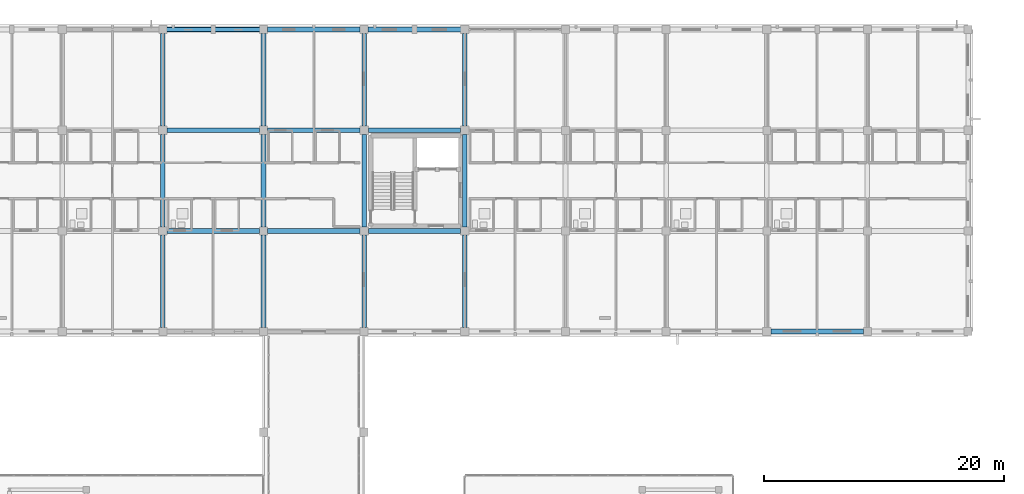
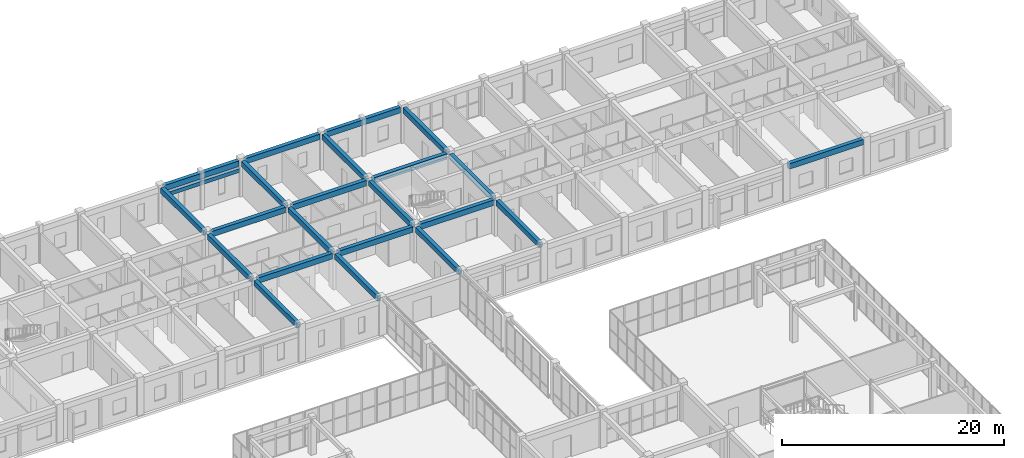
# One storey, part 80 of 140: 23 beams.
"""IFC4 building model written with IfcOpenShell, lengths in metres."""

from ifc_helpers import new_model, si_unit, direction, frame, origin, origin_2d, place, context, subcontext, project, spatial, rectangle, extrude, material, material_profile, profile_set, type_object, element, save


model = new_model("IFC4")

# Units and contexts
model_context = context("Model", 3, precision=1e-05, world=origin(), true_north=direction((0.0, 1.0)))
body_context = subcontext(model_context, "Body", "Model", "MODEL_VIEW")
ifc_project = project(units=[si_unit("LENGTHUNIT", "METRE"), si_unit("AREAUNIT", "SQUARE_METRE"), si_unit("VOLUMEUNIT", "CUBIC_METRE"), si_unit("PLANEANGLEUNIT", "RADIAN"), si_unit("MASSUNIT", "GRAM", prefix="KILO")], contexts=[model_context])

# Site, building, storey
site_placement = place(None, origin())
site = spatial("IfcSite", under=ifc_project, at=site_placement, CompositionType="ELEMENT")
building_placement = place(site_placement, origin())
building = spatial("IfcBuilding", under=site, at=building_placement, Name="Trelvath General Hospital", CompositionType="ELEMENT")
storey_placement = place(building_placement, frame((0.0, 0.0, 16.199951171875)))
storey = spatial("IfcBuildingStorey", under=building, at=storey_placement, Name="L04", CompositionType="ELEMENT", Elevation=16.199951171875)

# Beams
ifc_material_1 = material(Name="Concrete C35/45", Category="concrete")
ifc_material_profile_1 = material_profile(ifc_material_1, rectangle(XDim=0.3798828125, YDim=0.580078125, at=origin_2d()), Name="RCB380x580")
ifc_profile_set_1 = profile_set([ifc_material_profile_1], Name="Concrete C35/45")
beam_type_1 = type_object("IfcBeamType", Name="Beam RC380x580", PredefinedType="BEAM", material=ifc_profile_set_1)
beam_1_placement = place(storey_placement, frame((67.199951171875, 92.735107421875, 3.630126953125), z_axis=(0.0, 1.0, 0.0), x_axis=(-1.0, 0.0, 0.0)))
element("IfcBeam", 1, at=beam_1_placement, inside=storey, type_object=beam_type_1, Name="Grid Beam BY-408L", PredefinedType="BEAM", context=body_context, shape_type="SweptSolid", body=[
    extrude(rectangle(XDim=0.3798828125, YDim=0.580078125, at=origin_2d()), origin(), (0.0, 0.0, 1.0), 7.719970703125),
])
beam_2_placement = place(storey_placement, frame((67.199951171875, 101.14501953125, 3.630126953125), z_axis=(0.0, 1.0, 0.0), x_axis=(-1.0, 0.0, 0.0)))
element("IfcBeam", 2, at=beam_2_placement, inside=storey, type_object=beam_type_1, Name="Grid Beam BY-408M", PredefinedType="BEAM", context=body_context, shape_type="SweptSolid", body=[
    extrude(rectangle(XDim=0.3798828125, YDim=0.580078125, at=origin_2d()), origin(), (0.0, 0.0, 1.0), 7.7099609375),
])
for number, where, z_axis, x_axis, name in (
    (3, (67.199951171875, 109.544921875, 3.630126953125), (0.0, 1.0, 0.0), (-1.0, 0.0, 0.0), "Grid Beam BY-408N"),
    (4, (75.60009765625, 92.735107421875, 3.630126953125), (0.0, 1.0, 0.0), (-1.0, 0.0, 0.0), "Grid Beam BY-409L"),
):
    element("IfcBeam", number, at=place(storey_placement, frame(where, z_axis=z_axis, x_axis=x_axis)), inside=storey, type_object=beam_type_1, Name=name, PredefinedType="BEAM", context=body_context, shape_type="SweptSolid", body=[
        extrude(rectangle(XDim=0.3798828125, YDim=0.580078125, at=origin_2d()), origin(), (0.0, 0.0, 1.0), 7.719970703125),
    ])
beam_3_placement = place(storey_placement, frame((75.60009765625, 101.14501953125, 3.630126953125), z_axis=(0.0, 1.0, 0.0), x_axis=(-1.0, 0.0, 0.0)))
element("IfcBeam", 5, at=beam_3_placement, inside=storey, type_object=beam_type_1, Name="Grid Beam BY-409M", PredefinedType="BEAM", context=body_context, shape_type="SweptSolid", body=[
    extrude(rectangle(XDim=0.3798828125, YDim=0.580078125, at=origin_2d()), origin(), (0.0, 0.0, 1.0), 7.7099609375),
])
for number, where, z_axis, x_axis, name in (
    (6, (75.60009765625, 109.544921875, 3.630126953125), (0.0, 1.0, 0.0), (-1.0, 0.0, 0.0), "Grid Beam BY-409N"),
    (7, (84.0, 92.735107421875, 3.630126953125), (0.0, 1.0, 0.0), (-1.0, 0.0, 0.0), "Grid Beam BY-410L"),
):
    element("IfcBeam", number, at=place(storey_placement, frame(where, z_axis=z_axis, x_axis=x_axis)), inside=storey, type_object=beam_type_1, Name=name, PredefinedType="BEAM", context=body_context, shape_type="SweptSolid", body=[
        extrude(rectangle(XDim=0.3798828125, YDim=0.580078125, at=origin_2d()), origin(), (0.0, 0.0, 1.0), 7.719970703125),
    ])
beam_4_placement = place(storey_placement, frame((84.0, 101.14501953125, 3.630126953125), z_axis=(0.0, 1.0, 0.0), x_axis=(-1.0, 0.0, 0.0)))
element("IfcBeam", 8, at=beam_4_placement, inside=storey, type_object=beam_type_1, Name="Grid Beam BY-410M", PredefinedType="BEAM", context=body_context, shape_type="SweptSolid", body=[
    extrude(rectangle(XDim=0.3798828125, YDim=0.580078125, at=origin_2d()), origin(), (0.0, 0.0, 1.0), 7.7099609375),
])
for number, where, z_axis, x_axis, name in (
    (9, (84.0, 109.544921875, 3.630126953125), (0.0, 1.0, 0.0), (-1.0, 0.0, 0.0), "Grid Beam BY-410N"),
    (10, (92.39990234375, 92.735107421875, 3.630126953125), (0.0, 1.0, 0.0), (-1.0, 0.0, 0.0), "Grid Beam BY-411L"),
):
    element("IfcBeam", number, at=place(storey_placement, frame(where, z_axis=z_axis, x_axis=x_axis)), inside=storey, type_object=beam_type_1, Name=name, PredefinedType="BEAM", context=body_context, shape_type="SweptSolid", body=[
        extrude(rectangle(XDim=0.3798828125, YDim=0.580078125, at=origin_2d()), origin(), (0.0, 0.0, 1.0), 7.719970703125),
    ])
beam_5_placement = place(storey_placement, frame((92.39990234375, 101.14501953125, 3.630126953125), z_axis=(0.0, 1.0, 0.0), x_axis=(-1.0, 0.0, 0.0)))
element("IfcBeam", 11, at=beam_5_placement, inside=storey, type_object=beam_type_1, Name="Grid Beam BY-411M", PredefinedType="BEAM", context=body_context, shape_type="SweptSolid", body=[
    extrude(rectangle(XDim=0.3798828125, YDim=0.580078125, at=origin_2d()), origin(), (0.0, 0.0, 1.0), 7.7099609375),
])
beam_6_placement = place(storey_placement, frame((92.39990234375, 109.544921875, 3.630126953125), z_axis=(0.0, 1.0, 0.0), x_axis=(-1.0, 0.0, 0.0)))
element("IfcBeam", 12, at=beam_6_placement, inside=storey, type_object=beam_type_1, Name="Grid Beam BY-411N", PredefinedType="BEAM", context=body_context, shape_type="SweptSolid", body=[
    extrude(rectangle(XDim=0.3798828125, YDim=0.580078125, at=origin_2d()), origin(), (0.0, 0.0, 1.0), 7.719970703125),
])
ifc_material_2 = material(Name="Concrete C35/45", Category="concrete")
ifc_material_profile_2 = material_profile(ifc_material_2, rectangle(XDim=0.39990234375, YDim=0.60009765625, at=origin_2d()), Name="RCB400x600")
ifc_profile_set_2 = profile_set([ifc_material_profile_2], Name="Concrete C35/45")
beam_type_2 = type_object("IfcBeamType", Name="Beam RC400x600", PredefinedType="BEAM", material=ifc_profile_set_2)
for number, where, z_axis, x_axis, name in (
    (13, (67.544921875, 100.800048828125, 3.6201171875), (1.0, 0.0, 0.0), (0.0, 1.0, 0.0), "Grid Beam BX-408M"),
    (14, (67.544921875, 109.199951171875, 3.6201171875), (1.0, 0.0, 0.0), (0.0, 1.0, 0.0), "Grid Beam BX-408N"),
):
    element("IfcBeam", number, at=place(storey_placement, frame(where, z_axis=z_axis, x_axis=x_axis)), inside=storey, type_object=beam_type_2, Name=name, PredefinedType="BEAM", context=body_context, shape_type="SweptSolid", body=[
        extrude(rectangle(XDim=0.39990234375, YDim=0.60009765625, at=origin_2d()), origin(), (0.0, 0.0, 1.0), 7.7099609375),
    ])
beam_7_placement = place(storey_placement, frame((67.534912109375, 117.60009765625, 3.6201171875), z_axis=(1.0, 0.0, 0.0), x_axis=(0.0, 1.0, 0.0)))
element("IfcBeam", 15, at=beam_7_placement, inside=storey, type_object=beam_type_2, Name="Grid Beam BX-408O", PredefinedType="BEAM", context=body_context, shape_type="SweptSolid", body=[
    extrude(rectangle(XDim=0.39990234375, YDim=0.60009765625, at=origin_2d()), origin(), (0.0, 0.0, 1.0), 7.72998046875),
])
for number, where, z_axis, x_axis, name in (
    (16, (75.945068359375, 100.800048828125, 3.6201171875), (1.0, 0.0, 0.0), (0.0, 1.0, 0.0), "Grid Beam BX-409M"),
    (17, (75.945068359375, 109.199951171875, 3.6201171875), (1.0, 0.0, 0.0), (0.0, 1.0, 0.0), "Grid Beam BX-409N"),
):
    element("IfcBeam", number, at=place(storey_placement, frame(where, z_axis=z_axis, x_axis=x_axis)), inside=storey, type_object=beam_type_2, Name=name, PredefinedType="BEAM", context=body_context, shape_type="SweptSolid", body=[
        extrude(rectangle(XDim=0.39990234375, YDim=0.60009765625, at=origin_2d()), origin(), (0.0, 0.0, 1.0), 7.7099609375),
    ])
beam_8_placement = place(storey_placement, frame((75.93505859375, 117.60009765625, 3.6201171875), z_axis=(1.0, 0.0, 0.0), x_axis=(0.0, 1.0, 0.0)))
element("IfcBeam", 18, at=beam_8_placement, inside=storey, type_object=beam_type_2, Name="Grid Beam BX-409O", PredefinedType="BEAM", context=body_context, shape_type="SweptSolid", body=[
    extrude(rectangle(XDim=0.39990234375, YDim=0.60009765625, at=origin_2d()), origin(), (0.0, 0.0, 1.0), 7.72998046875),
])
for number, where, z_axis, x_axis, name in (
    (19, (84.344970703125, 100.800048828125, 3.6201171875), (1.0, 0.0, 0.0), (0.0, 1.0, 0.0), "Grid Beam BX-410M"),
    (20, (84.344970703125, 109.199951171875, 3.6201171875), (1.0, 0.0, 0.0), (0.0, 1.0, 0.0), "Grid Beam BX-410N"),
):
    element("IfcBeam", number, at=place(storey_placement, frame(where, z_axis=z_axis, x_axis=x_axis)), inside=storey, type_object=beam_type_2, Name=name, PredefinedType="BEAM", context=body_context, shape_type="SweptSolid", body=[
        extrude(rectangle(XDim=0.39990234375, YDim=0.60009765625, at=origin_2d()), origin(), (0.0, 0.0, 1.0), 7.7099609375),
    ])
for number, where, z_axis, x_axis, name in (
    (21, (84.3349609375, 117.60009765625, 3.6201171875), (1.0, 0.0, 0.0), (0.0, 1.0, 0.0), "Grid Beam BX-410O"),
    (22, (117.93505859375, 92.39990234375, 3.6201171875), (1.0, 0.0, 0.0), (0.0, 1.0, 0.0), "Grid Beam BX-414L"),
):
    element("IfcBeam", number, at=place(storey_placement, frame(where, z_axis=z_axis, x_axis=x_axis)), inside=storey, type_object=beam_type_2, Name=name, PredefinedType="BEAM", context=body_context, shape_type="SweptSolid", body=[
        extrude(rectangle(XDim=0.39990234375, YDim=0.60009765625, at=origin_2d()), origin(), (0.0, 0.0, 1.0), 7.72998046875),
    ])
ifc_material_3 = material(Name="Precast concrete C40/50", Category="concrete")
ifc_material_profile_3 = material_profile(ifc_material_3, rectangle(XDim=0.35009765625, YDim=0.419921875, at=origin_2d()), Name="PCL350x420")
ifc_profile_set_3 = profile_set([ifc_material_profile_3], Name="Precast concrete C40/50")
beam_type_3 = type_object("IfcBeamType", Name="Lintel PC350x420", PredefinedType="LINTEL", material=ifc_profile_set_3)
beam_9_placement = place(storey_placement, frame((67.455078125, 117.60009765625, 2.820068359375), z_axis=(1.0, 0.0, 0.0), x_axis=(0.0, 1.0, 0.0)))
element("IfcBeam", 23, at=beam_9_placement, inside=storey, type_object=beam_type_3, Name="Precast Window Brow Lintel L04-451", PredefinedType="LINTEL", context=body_context, shape_type="SweptSolid", body=[
    extrude(rectangle(XDim=0.35009765625, YDim=0.419921875, at=origin_2d()), origin(), (0.0, 0.0, 1.0), 7.889892578125),
])

save(model, "model.ifc")
